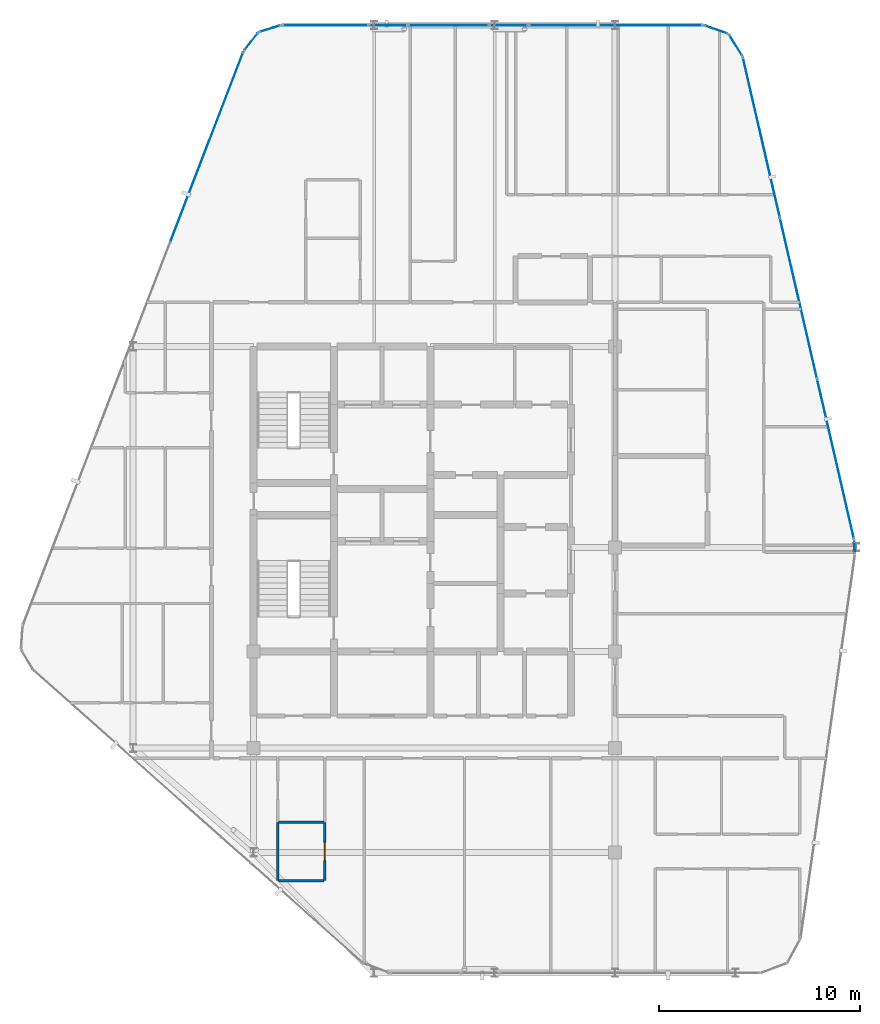
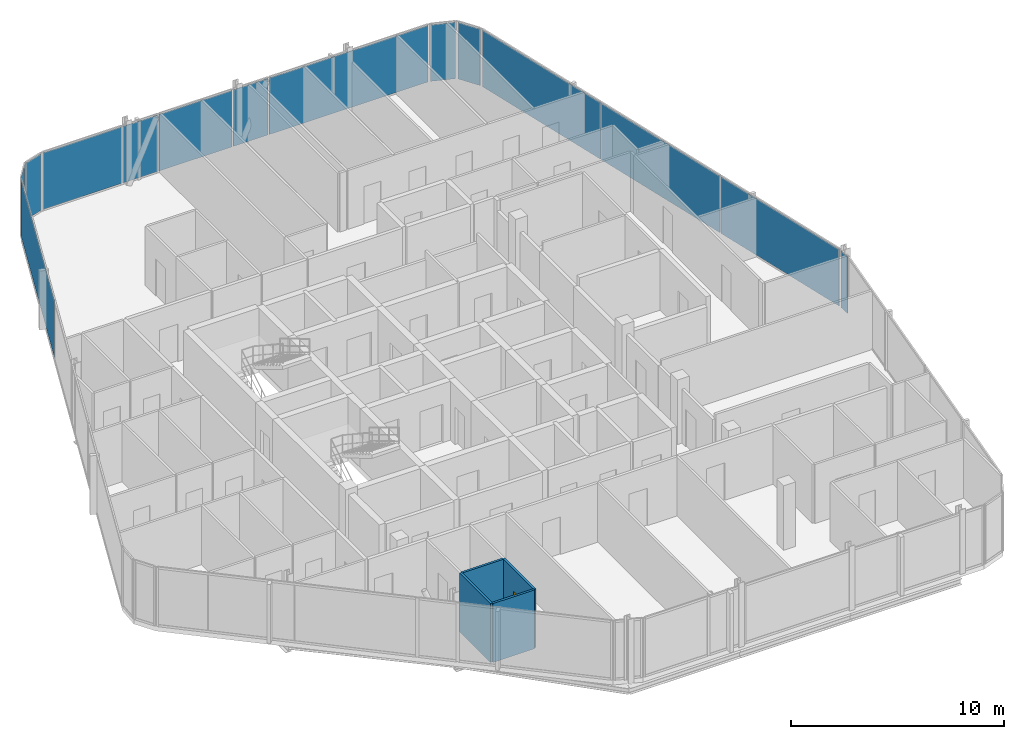
# One storey, part 21 of 27: 14 plates, 4 walls, 1 door, 1 opening, 12 elements without a shape of their own.
"""IFC4 building model written with IfcOpenShell, lengths in metres."""

from ifc_helpers import new_model, si_unit, direction, frame, frame_2d, origin, origin_2d, place, context, subcontext, project, spatial, rectangle, extrude, material, layer, layer_set, type_object, element, fill, aggregate, save


model = new_model("IFC4")

# Units and contexts
model_context = context("Model", 3, precision=1e-05, world=origin(), true_north=direction((0.0, 1.0)))
body_context = subcontext(model_context, "Body", "Model", "MODEL_VIEW")
ifc_project = project(units=[si_unit("LENGTHUNIT", "METRE"), si_unit("AREAUNIT", "SQUARE_METRE"), si_unit("VOLUMEUNIT", "CUBIC_METRE"), si_unit("PLANEANGLEUNIT", "RADIAN"), si_unit("MASSUNIT", "GRAM", prefix="KILO")], contexts=[model_context])

# Site, building, storey
site_placement = place(None, origin())
site = spatial("IfcSite", under=ifc_project, at=site_placement, CompositionType="ELEMENT")
building_placement = place(site_placement, origin())
building = spatial("IfcBuilding", under=site, at=building_placement, Name="Keshet Zoharim Tower", CompositionType="ELEMENT")
storey_placement = place(building_placement, frame((0.0, 0.0, 295.39990234375)))
storey = spatial("IfcBuildingStorey", under=building, at=storey_placement, Name="L74", CompositionType="ELEMENT", Elevation=295.39990234375)

# Curtain wall, plate
ifc_material_1 = material(Name="Aluminium 6063-T6", Category="aluminium")
ifc_layer_1 = layer(ifc_material_1, 0.260009765625)
ifc_layer_set_1 = layer_set([ifc_layer_1], Name="Aluminium 6063-T6")
curtain_wall_type = type_object("IfcCurtainWallType", Name="CW-SYS-06", PredefinedType="NOTDEFINED", material=ifc_layer_set_1)
curtain_wall_1_placement = place(storey_placement, origin())
curtain_wall_1 = element("IfcCurtainWall", 1, at=curtain_wall_1_placement, inside=storey, type_object=curtain_wall_type, Name="L74 Unitised Curtain Wall 03", PredefinedType="NOTDEFINED")
ifc_material_2 = material(Name="Insulated Low-E Clear Glass", Category="glass")
ifc_layer_2 = layer(ifc_material_2, 0.028076171875)
ifc_layer_set_2 = layer_set([ifc_layer_2], Name="Insulated Low-E Clear Glass")
plate_type_1 = type_object("IfcPlateType", Name="CWP-03", PredefinedType="CURTAIN_PANEL", material=ifc_layer_set_2)
plate_1_placement = place(storey_placement, frame((12.665771484375, 47.830810546875, 0.0703125), z_axis=(0.0, 0.0, 1.0), x_axis=(0.358990003907, 0.933341404361, 0.0)))
plate_1 = element("IfcPlate", 2, at=plate_1_placement, type_object=plate_type_1, Name="CW-06 panel 3.1", PredefinedType="CURTAIN_PANEL", context=body_context, shape_type="SweptSolid", body=[
    extrude(rectangle(XDim=10.1181640625, YDim=0.028076171875, at=origin_2d()), origin(), (0.0, 0.0, 1.0), 3.239990234375),
])
aggregate(curtain_wall_1, [plate_1])

curtain_wall_2_placement = place(storey_placement, origin())
curtain_wall_2 = element("IfcCurtainWall", 3, at=curtain_wall_2_placement, inside=storey, type_object=curtain_wall_type, Name="L74 Unitised Curtain Wall 04", PredefinedType="NOTDEFINED")
plate_2_placement = place(storey_placement, frame((14.8740234375, 53.08349609375, 0.0703125), z_axis=(0.0, 0.0, 1.0), x_axis=(0.619124525989, 0.785292825205, 0.0)))
plate_2 = element("IfcPlate", 4, at=plate_2_placement, type_object=plate_type_1, Name="CW-06 panel 1.1", PredefinedType="CURTAIN_PANEL", context=body_context, shape_type="SweptSolid", body=[
    extrude(rectangle(XDim=1.045654296875, YDim=0.028076171875, at=origin_2d()), origin(), (0.0, 0.0, 1.0), 3.239990234375),
])
aggregate(curtain_wall_2, [plate_2])

curtain_wall_3_placement = place(storey_placement, origin())
curtain_wall_3 = element("IfcCurtainWall", 5, at=curtain_wall_3_placement, inside=storey, type_object=curtain_wall_type, Name="L74 Unitised Curtain Wall 05", PredefinedType="NOTDEFINED")
plate_3_placement = place(storey_placement, frame((15.8076171875, 53.724609375, 0.0703125), z_axis=(0.0, 0.0, 1.0), x_axis=(0.955212151288, 0.295921857984, 0.0)))
plate_3 = element("IfcPlate", 6, at=plate_3_placement, type_object=plate_type_1, Name="CW-06 panel 1.1", PredefinedType="CURTAIN_PANEL", context=body_context, shape_type="SweptSolid", body=[
    extrude(rectangle(XDim=1.046142578125, YDim=0.028076171875, at=origin_2d()), origin(), (0.0, 0.0, 1.0), 3.239990234375),
])
aggregate(curtain_wall_3, [plate_3])

curtain_wall_4_placement = place(storey_placement, origin())
curtain_wall_4 = element("IfcCurtainWall", 7, at=curtain_wall_4_placement, inside=storey, type_object=curtain_wall_type, Name="L74 Unitised Curtain Wall 06", PredefinedType="NOTDEFINED")
plate_4_placement = place(storey_placement, frame((18.57470703125, 53.89990234375, 0.0703125), z_axis=(0.0, 0.0, 1.0), x_axis=(1.0, 0.0, 0.0)))
plate_4 = element("IfcPlate", 8, at=plate_4_placement, type_object=plate_type_1, Name="CW-06 panel 1.1", PredefinedType="CURTAIN_PANEL", context=body_context, shape_type="SweptSolid", body=[
    extrude(rectangle(XDim=4.26123046875, YDim=0.028076171875, at=origin_2d()), origin(), (0.0, 0.0, 1.0), 3.239990234375),
])
aggregate(curtain_wall_4, [plate_4])

curtain_wall_5_placement = place(storey_placement, origin())
curtain_wall_5 = element("IfcCurtainWall", 9, at=curtain_wall_5_placement, inside=storey, type_object=curtain_wall_type, Name="L74 Unitised Curtain Wall 06 Part 3", PredefinedType="NOTDEFINED")
plate_5_placement = place(storey_placement, frame((24.715087890625, 53.89990234375, 0.0703125), z_axis=(0.0, 0.0, 1.0), x_axis=(1.0, 0.0, 0.0)))
plate_5 = element("IfcPlate", 10, at=plate_5_placement, type_object=plate_type_1, Name="CW-06 panel 1.1", PredefinedType="CURTAIN_PANEL", context=body_context, shape_type="SweptSolid", body=[
    extrude(rectangle(XDim=3.98046875, YDim=0.028076171875, at=origin_2d()), origin(), (0.0, 0.0, 1.0), 3.239990234375),
])
aggregate(curtain_wall_5, [plate_5])

curtain_wall_6_placement = place(storey_placement, origin())
curtain_wall_6 = element("IfcCurtainWall", 11, at=curtain_wall_6_placement, inside=storey, type_object=curtain_wall_type, Name="L74 Unitised Curtain Wall 06 Part 5", PredefinedType="NOTDEFINED")
plate_6_placement = place(storey_placement, frame((33.031982421875, 53.89990234375, 0.0703125), z_axis=(0.0, 0.0, 1.0), x_axis=(1.0, 0.0, 0.0)))
plate_6 = element("IfcPlate", 12, at=plate_6_placement, type_object=plate_type_1, Name="CW-06 panel 1.1", PredefinedType="CURTAIN_PANEL", context=body_context, shape_type="SweptSolid", body=[
    extrude(rectangle(XDim=8.6142578125, YDim=0.028076171875, at=origin_2d()), origin(), (0.0, 0.0, 1.0), 3.239990234375),
])
aggregate(curtain_wall_6, [plate_6])

curtain_wall_7_placement = place(storey_placement, origin())
curtain_wall_7 = element("IfcCurtainWall", 13, at=curtain_wall_7_placement, inside=storey, type_object=curtain_wall_type, Name="L74 Unitised Curtain Wall 07", PredefinedType="NOTDEFINED")
plate_7_placement = place(storey_placement, frame((38.031494140625, 53.6826171875, 0.0703125), z_axis=(0.0, 0.0, 1.0), x_axis=(0.944035542119, -0.329843743636, 0.0)))
plate_7 = element("IfcPlate", 14, at=plate_7_placement, type_object=plate_type_1, Name="CW-06 panel 1.1", PredefinedType="CURTAIN_PANEL", context=body_context, shape_type="SweptSolid", body=[
    extrude(rectangle(XDim=1.1787109375, YDim=0.028076171875, at=origin_2d()), origin(), (0.0, 0.0, 1.0), 3.239990234375),
])
aggregate(curtain_wall_7, [plate_7])

curtain_wall_8_placement = place(storey_placement, origin())
curtain_wall_8 = element("IfcCurtainWall", 15, at=curtain_wall_8_placement, inside=storey, type_object=curtain_wall_type, Name="L74 Unitised Curtain Wall 08", PredefinedType="NOTDEFINED")
plate_8_placement = place(storey_placement, frame((39.006103515625, 52.907470703125, 0.0703125), z_axis=(0.0, 0.0, 1.0), x_axis=(0.533878858502, -0.845560976183, 0.0)))
plate_8 = element("IfcPlate", 16, at=plate_8_placement, type_object=plate_type_1, Name="CW-06 panel 1.1", PredefinedType="CURTAIN_PANEL", context=body_context, shape_type="SweptSolid", body=[
    extrude(rectangle(XDim=1.1787109375, YDim=0.028076171875, at=origin_2d()), origin(), (0.0, 0.0, 1.0), 3.239990234375),
])
aggregate(curtain_wall_8, [plate_8])

# Curtain wall, plates
curtain_wall_9_placement = place(storey_placement, origin())
curtain_wall_9 = element("IfcCurtainWall", 17, at=curtain_wall_9_placement, inside=storey, type_object=curtain_wall_type, Name="L74 Unitised Curtain Wall 09", PredefinedType="NOTDEFINED")
plate_9_placement = place(storey_placement, frame((40.288330078125, 48.318359375, 0.0703125), z_axis=(0.0, 0.0, 1.0), x_axis=(0.224829963294, -0.974398012932, 0.0)))
plate_9 = element("IfcPlate", 18, at=plate_9_placement, type_object=plate_type_1, Name="CW-06 panel 1.1", PredefinedType="CURTAIN_PANEL", context=body_context, shape_type="SweptSolid", body=[
    extrude(rectangle(XDim=8.13525390625, YDim=0.028076171875, at=origin_2d()), origin(), (0.0, 0.0, 1.0), 3.239990234375),
])
plate_10_placement = place(storey_placement, frame((42.136962890625, 40.305908203125, 0.0703125), z_axis=(0.0, 0.0, 1.0), x_axis=(0.224829963294, -0.974398012932, 0.0)))
plate_10 = element("IfcPlate", 19, at=plate_10_placement, type_object=plate_type_1, Name="CW-06 panel 2.1", PredefinedType="CURTAIN_PANEL", context=body_context, shape_type="SweptSolid", body=[
    extrude(rectangle(XDim=8.17041015625, YDim=0.028076171875, at=origin_2d()), origin(), (0.0, 0.0, 1.0), 3.239990234375),
])
plate_11_placement = place(storey_placement, frame((43.98583984375, 32.293701171875, 0.0703125), z_axis=(0.0, 0.0, 1.0), x_axis=(0.224829963294, -0.974398012932, 0.0)))
plate_11 = element("IfcPlate", 20, at=plate_11_placement, type_object=plate_type_1, Name="CW-06 panel 3.1", PredefinedType="CURTAIN_PANEL", context=body_context, shape_type="SweptSolid", body=[
    extrude(rectangle(XDim=8.13525390625, YDim=0.028076171875, at=origin_2d()), origin(), (0.0, 0.0, 1.0), 3.239990234375),
])
aggregate(curtain_wall_9, [plate_9, plate_10, plate_11])

# Curtain wall, plate
curtain_wall_10_placement = place(storey_placement, origin())
curtain_wall_10 = element("IfcCurtainWall", 21, at=curtain_wall_10_placement, inside=storey, type_object=curtain_wall_type, Name="L74 Unitised Curtain Wall 10", PredefinedType="NOTDEFINED")
plate_12_placement = place(storey_placement, frame((44.931884765625, 27.89697265625, 0.0703125), z_axis=(0.0, 0.0, 1.0), x_axis=(0.043793560626, -0.999040601801, 0.0)))
plate_12 = element("IfcPlate", 22, at=plate_12_placement, type_object=plate_type_1, Name="CW-06 panel 1.1", PredefinedType="CURTAIN_PANEL", context=body_context, shape_type="SweptSolid", body=[
    extrude(rectangle(XDim=0.5908203125, YDim=0.028076171875, at=origin_2d()), origin(), (0.0, 0.0, 1.0), 3.239990234375),
])
aggregate(curtain_wall_10, [plate_12])

curtain_wall_11_placement = place(storey_placement, origin())
curtain_wall_11 = element("IfcCurtainWall", 23, at=curtain_wall_11_placement, inside=storey, type_object=curtain_wall_type, Name="L74 Unitised Curtain Wall 06 Part 2", PredefinedType="NOTDEFINED")
ifc_material_3 = material(Name="Insulated Aluminium Spandrel Panel", Category="aluminium")
ifc_layer_3 = layer(ifc_material_3, 0.028076171875)
ifc_layer_set_3 = layer_set([ifc_layer_3], Name="Insulated Aluminium Spandrel Panel")
plate_type_2 = type_object("IfcPlateType", Name="CWP-06", PredefinedType="CURTAIN_PANEL", material=ifc_layer_set_3)
plate_13_placement = place(storey_placement, frame((21.715087890625, 53.89990234375, 0.0703125), z_axis=(0.0, 0.0, 1.0), x_axis=(1.0, 0.0, 0.0)))
plate_13 = element("IfcPlate", 24, at=plate_13_placement, type_object=plate_type_2, Name="CW-06 spandrel panel 1.1", PredefinedType="CURTAIN_PANEL", context=body_context, shape_type="SweptSolid", body=[
    extrude(rectangle(XDim=1.879638671875, YDim=0.028076171875, at=origin_2d()), origin(), (0.0, 0.0, 1.0), 3.239990234375),
])
aggregate(curtain_wall_11, [plate_13])

curtain_wall_12_placement = place(storey_placement, origin())
curtain_wall_12 = element("IfcCurtainWall", 25, at=curtain_wall_12_placement, inside=storey, type_object=curtain_wall_type, Name="L74 Unitised Curtain Wall 06 Part 4", PredefinedType="NOTDEFINED")
plate_14_placement = place(storey_placement, frame((27.715087890625, 53.89990234375, 0.0703125), z_axis=(0.0, 0.0, 1.0), x_axis=(1.0, 0.0, 0.0)))
plate_14 = element("IfcPlate", 26, at=plate_14_placement, type_object=plate_type_2, Name="CW-06 spandrel panel 1.1", PredefinedType="CURTAIN_PANEL", context=body_context, shape_type="SweptSolid", body=[
    extrude(rectangle(XDim=1.879638671875, YDim=0.028076171875, at=origin_2d()), origin(), (0.0, 0.0, 1.0), 3.239990234375),
])
aggregate(curtain_wall_12, [plate_14])

# Wall
ifc_material_4 = material(Name="Gypsum Plasterboard", Category="gypsum")
ifc_layer_4 = layer(ifc_material_4, 0.1201171875)
ifc_layer_set_4 = layer_set([ifc_layer_4], Name="Gypsum Plasterboard")
wall_type = type_object("IfcWallType", Name="WL-WET-120", PredefinedType="PARTITIONING", material=ifc_layer_set_4)
wall_1_placement = place(storey_placement, frame((16.199951171875, 11.300048828125, 0.0), z_axis=(0.0, 0.0, 1.0), x_axis=(0.0, 1.0, 0.0)))
element("IfcWall", 27, at=wall_1_placement, inside=storey, type_object=wall_type, Name="L74 Interior Wall 017", PredefinedType="PARTITIONING", context=body_context, shape_type="SweptSolid", body=[
    extrude(rectangle(XDim=2.89990234375, YDim=0.1201171875, at=frame_2d((1.449951171875, 0.0))), origin(), (0.0, 0.0, 1.0), 3.380126953125),
])

# Wall, opening, door
wall_2_placement = place(storey_placement, frame((18.550048828125, 11.300048828125, 0.0), z_axis=(0.0, 0.0, 1.0), x_axis=(0.0, 1.0, 0.0)))
wall_2 = element("IfcWall", 28, at=wall_2_placement, inside=storey, type_object=wall_type, Name="L74 Interior Wall 021", PredefinedType="PARTITIONING", context=body_context, shape_type="SweptSolid", body=[
    extrude(rectangle(XDim=2.89990234375, YDim=0.1201171875, at=frame_2d((1.449951171875, 0.0))), origin(), (0.0, 0.0, 1.0), 3.380126953125),
])
opening_placement = place(wall_2_placement, frame((1.0, 0.0, 0.0)))
opening = element("IfcOpeningElement", 29, at=opening_placement, cuts=wall_2, Name="Opening D-WT90", PredefinedType="OPENING", context=body_context, shape_type="SweptSolid", body=[
    extrude(rectangle(XDim=0.89990234375, YDim=2.10009765625, at=frame_2d((0.449951171875, 1.050048828125))), frame((0.0, 0.070068359375, 0.0), z_axis=(0.0, -1.0, 0.0), x_axis=(1.0, 0.0, 0.0)), (0.0, 0.0, 1.0), 0.14013671875),
])
ifc_material_5 = material(Name="Hardwood Timber", Category="wood")
door_type = type_object("IfcDoorType", Name="DR-WET-090", OperationType="NOTDEFINED", PredefinedType="DOOR", material=ifc_material_5)
door_placement = place(opening_placement, origin())
door = element("IfcDoor", 30, at=door_placement, inside=storey, type_object=door_type, Name="Apartment 7401 Bathroom Door", OperationType="SINGLE_SWING_LEFT", OverallHeight=2.10009765625, OverallWidth=0.89990234375, PredefinedType="DOOR", context=body_context, shape_type="SweptSolid", body=[
    extrude(rectangle(XDim=0.89990234375, YDim=2.10009765625, at=frame_2d((0.449951171875, 1.050048828125))), frame((0.0, 0.02490234375, 0.0), z_axis=(0.0, -1.0, 0.0), x_axis=(1.0, 0.0, 0.0)), (0.0, 0.0, 1.0), 0.050048828125),
])
fill(opening, door)

# Walls
for number, where, z_axis, x_axis, name in (
    (31, (16.2451171875, 11.300048828125, 0.0), (0.0, 0.0, 1.0), (1.0, 0.0, 0.0), "L74 Interior Wall 087"),
    (32, (16.2451171875, 14.199951171875, 0.0), (0.0, 0.0, 1.0), (1.0, 0.0, 0.0), "L74 Interior Wall 091"),
):
    element("IfcWall", number, at=place(storey_placement, frame(where, z_axis=z_axis, x_axis=x_axis)), inside=storey, type_object=wall_type, Name=name, PredefinedType="PARTITIONING", context=body_context, shape_type="SweptSolid", body=[
        extrude(rectangle(XDim=2.259765625, YDim=0.1201171875, at=frame_2d((1.1298828125, 0.0))), origin(), (0.0, 0.0, 1.0), 3.380126953125),
    ])

save(model, "model.ifc")
